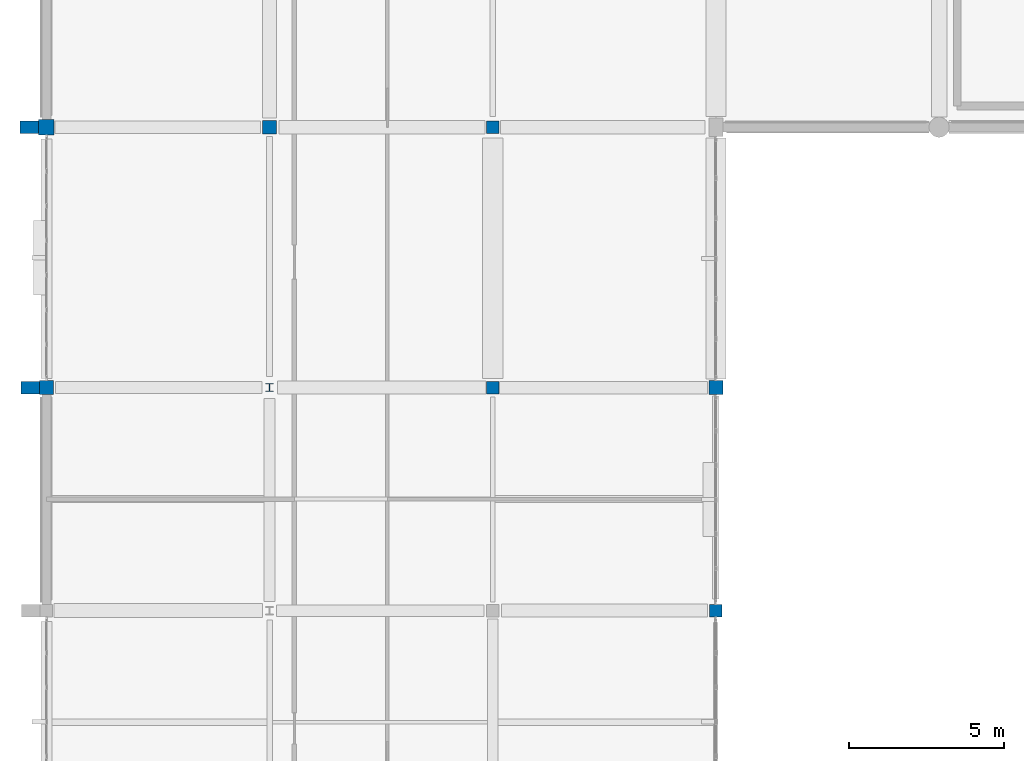
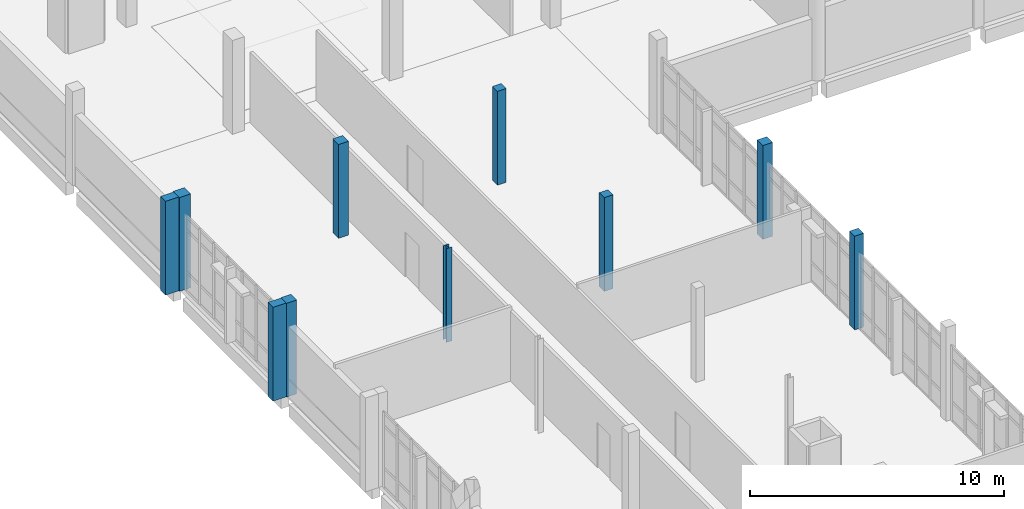
# One storey, part 4 of 62: 10 columns.
"""IFC4 building model written with IfcOpenShell, lengths in metres."""

from ifc_helpers import new_model, si_unit, direction, frame, origin, origin_2d, place, context, subcontext, project, spatial, rectangle, i_section, extrude, material, material_profile, profile_set, type_object, element, save


model = new_model("IFC4")

# Units and contexts
model_context = context("Model", 3, precision=1e-05, world=origin(), true_north=direction((0.0, 1.0)))
body_context = subcontext(model_context, "Body", "Model", "MODEL_VIEW")
ifc_project = project(units=[si_unit("LENGTHUNIT", "METRE"), si_unit("AREAUNIT", "SQUARE_METRE"), si_unit("VOLUMEUNIT", "CUBIC_METRE"), si_unit("PLANEANGLEUNIT", "RADIAN"), si_unit("MASSUNIT", "GRAM", prefix="KILO")], contexts=[model_context])

# Site, building, storey
site_placement = place(None, origin())
site = spatial("IfcSite", under=ifc_project, at=site_placement, CompositionType="ELEMENT")
building_placement = place(site_placement, origin())
building = spatial("IfcBuilding", under=site, at=building_placement, Name="Kalluvel Institute of Natural Sciences", CompositionType="ELEMENT")
storey_placement = place(building_placement, frame((0.0, 0.0, 27.89990234375)))
storey = spatial("IfcBuildingStorey", under=building, at=storey_placement, Name="L06", CompositionType="ELEMENT", Elevation=27.89990234375)

# Columns
ifc_material_1 = material(Name="Steel E350 Grade 350", Category="steel")
ifc_material_profile_1 = material_profile(ifc_material_1, i_section(OverallWidth=0.25, OverallDepth=0.25, WebThickness=0.0087890625, FlangeThickness=0.009765625, FilletRadius=0.010009765625, at=origin_2d()), Name="ISHB 250")
ifc_profile_set_1 = profile_set([ifc_material_profile_1], Name="Steel E350 Grade 350")
column_type_1 = type_object("IfcColumnType", Name="COL-ISHB250", PredefinedType="COLUMN", material=ifc_profile_set_1)
column_1_placement = place(storey_placement, frame((21.199951171875, 86.0, 0.0), z_axis=(0.0, 0.0, 1.0), x_axis=(1.0, 0.0, 0.0)))
element("IfcColumn", 1, at=column_1_placement, inside=storey, type_object=column_type_1, Name="L06 structural column COL-L06-X212-Y860", PredefinedType="COLUMN", context=body_context, shape_type="SweptSolid", body=[
    extrude(i_section(OverallWidth=0.25, OverallDepth=0.25, WebThickness=0.0087890625, FlangeThickness=0.009765625, FilletRadius=0.010009765625, at=origin_2d()), origin(), (0.0, 0.0, 1.0), 4.5),
])
ifc_material_2 = material(Name="Concrete M40", Category="concrete")
ifc_material_profile_2 = material_profile(ifc_material_2, rectangle(XDim=0.39990234375, YDim=0.39990234375, at=origin_2d()), Name="RC 400x400")
ifc_profile_set_2 = profile_set([ifc_material_profile_2], Name="Concrete M40")
column_type_2 = type_object("IfcColumnType", Name="COL-RC400", PredefinedType="COLUMN", material=ifc_profile_set_2)
for number, where, z_axis, x_axis, name in (
    (2, (28.39990234375, 86.0, 0.0), (0.0, 0.0, 1.0), (1.0, 0.0, 0.0), "L06 structural column COL-L06-X284-Y860"),
    (3, (28.39990234375, 94.39990234375, 0.0), (0.0, 0.0, 1.0), (1.0, 0.0, 0.0), "L06 structural column COL-L06-X284-Y944"),
    (4, (35.60009765625, 78.800048828125, 0.0), (0.0, 0.0, 1.0), (1.0, 0.0, 0.0), "L06 structural column COL-L06-X356-Y788"),
):
    element("IfcColumn", number, at=place(storey_placement, frame(where, z_axis=z_axis, x_axis=x_axis)), inside=storey, type_object=column_type_2, Name=name, PredefinedType="COLUMN", context=body_context, shape_type="SweptSolid", body=[
        extrude(rectangle(XDim=0.39990234375, YDim=0.39990234375, at=origin_2d()), origin(), (0.0, 0.0, 1.0), 4.5),
    ])
ifc_material_profile_3 = material_profile(ifc_material_2, rectangle(XDim=0.449951171875, YDim=0.449951171875, at=origin_2d()), Name="RC 450x450")
ifc_profile_set_3 = profile_set([ifc_material_profile_3], Name="Concrete M40")
column_type_3 = type_object("IfcColumnType", Name="COL-RC450", PredefinedType="COLUMN", material=ifc_profile_set_3)
for number, where, z_axis, x_axis, name in (
    (5, (14.0, 86.0, 0.0), (0.0, 0.0, 1.0), (1.0, 0.0, 0.0), "L06 structural column COL-L06-X140-Y860"),
    (6, (21.199951171875, 94.39990234375, 0.0), (0.0, 0.0, 1.0), (1.0, 0.0, 0.0), "L06 structural column COL-L06-X212-Y944"),
    (7, (35.60009765625, 86.0, 0.0), (0.0, 0.0, 1.0), (1.0, 0.0, 0.0), "L06 structural column COL-L06-X356-Y860"),
):
    element("IfcColumn", number, at=place(storey_placement, frame(where, z_axis=z_axis, x_axis=x_axis)), inside=storey, type_object=column_type_3, Name=name, PredefinedType="COLUMN", context=body_context, shape_type="SweptSolid", body=[
        extrude(rectangle(XDim=0.449951171875, YDim=0.449951171875, at=origin_2d()), origin(), (0.0, 0.0, 1.0), 4.5),
    ])
ifc_material_profile_4 = material_profile(ifc_material_2, rectangle(XDim=0.5, YDim=0.5, at=origin_2d()), Name="RC 500x500")
ifc_profile_set_4 = profile_set([ifc_material_profile_4], Name="Concrete M40")
column_type_4 = type_object("IfcColumnType", Name="COL-RC500", PredefinedType="COLUMN", material=ifc_profile_set_4)
column_2_placement = place(storey_placement, frame((14.0, 94.39990234375, 0.0), z_axis=(0.0, 0.0, 1.0), x_axis=(1.0, 0.0, 0.0)))
element("IfcColumn", 8, at=column_2_placement, inside=storey, type_object=column_type_4, Name="L06 structural column COL-L06-X140-Y944", PredefinedType="COLUMN", context=body_context, shape_type="SweptSolid", body=[
    extrude(rectangle(XDim=0.5, YDim=0.5, at=origin_2d()), origin(), (0.0, 0.0, 1.0), 4.5),
])
ifc_material_3 = material(Name="Sadarahalli Granite Precast Concrete M45", Category="masonry")
ifc_material_profile_5 = material_profile(ifc_material_3, rectangle(XDim=0.39990234375, YDim=0.60009765625, at=origin_2d()), Name="PIL 400x600")
ifc_profile_set_5 = profile_set([ifc_material_profile_5], Name="Sadarahalli Granite Precast Concrete M45")
column_type_5 = type_object("IfcColumnType", Name="PIL-400x600", PredefinedType="PILASTER", material=ifc_profile_set_5)
for number, where, z_axis, x_axis, name in (
    (9, (13.471923828125, 86.0, 0.0), (0.0, 0.0, 1.0), (0.0, 1.0, 0.0), "L06 Gothic stepped Sadarahalli granite buttress 124"),
    (10, (13.447021484375, 94.39990234375, 0.0), (0.0, 0.0, 1.0), (0.0, 1.0, 0.0), "L06 Gothic stepped Sadarahalli granite buttress 132"),
):
    element("IfcColumn", number, at=place(storey_placement, frame(where, z_axis=z_axis, x_axis=x_axis)), inside=storey, type_object=column_type_5, Name=name, PredefinedType="PILASTER", context=body_context, shape_type="SweptSolid", body=[
        extrude(rectangle(XDim=0.39990234375, YDim=0.60009765625, at=origin_2d()), origin(), (0.0, 0.0, 1.0), 4.5),
    ])

save(model, "model.ifc")
